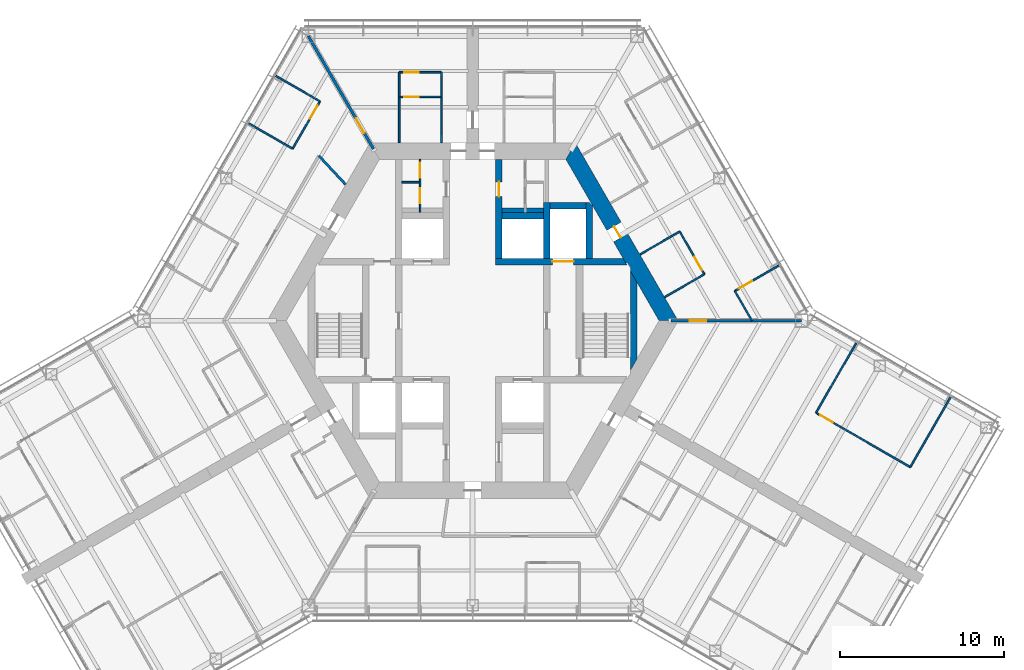
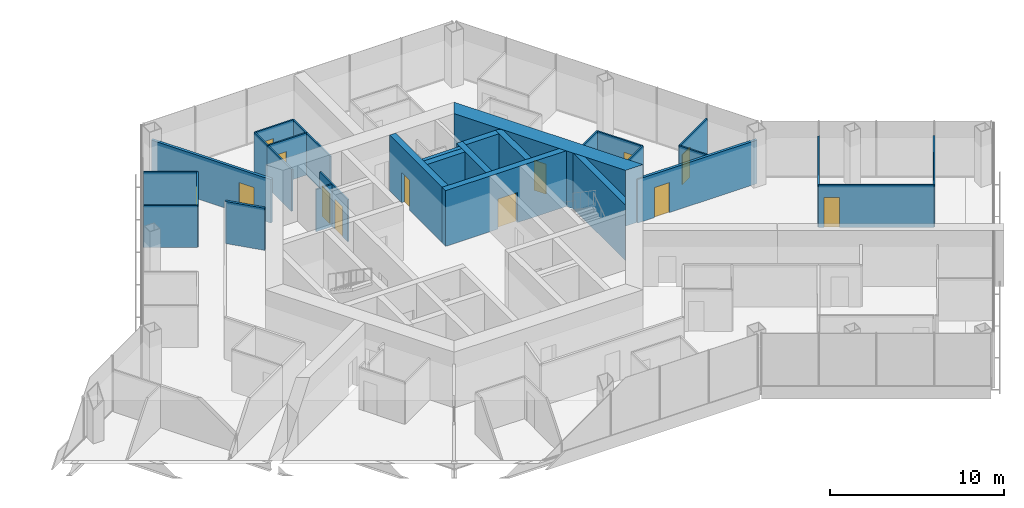
# One storey, part 15 of 19: 31 walls, 13 doors, 13 openings.
"""IFC4 building model written with IfcOpenShell, lengths in metres."""

from ifc_helpers import new_model, si_unit, direction, frame, frame_2d, origin, place, context, subcontext, project, spatial, polyline, rectangle, outline, extrude, material, layer, layer_set, type_object, element, fill, save


model = new_model("IFC4")

# Units and contexts
model_context = context("Model", 3, precision=1e-05, world=origin(), true_north=direction((0.0, 1.0)))
body_context = subcontext(model_context, "Body", "Model", "MODEL_VIEW")
ifc_project = project(units=[si_unit("LENGTHUNIT", "METRE"), si_unit("AREAUNIT", "SQUARE_METRE"), si_unit("VOLUMEUNIT", "CUBIC_METRE"), si_unit("PLANEANGLEUNIT", "RADIAN"), si_unit("MASSUNIT", "GRAM", prefix="KILO")], contexts=[model_context])

# Site, building, storey
site_placement = place(None, origin())
site = spatial("IfcSite", under=ifc_project, at=site_placement, CompositionType="ELEMENT")
building_placement = place(site_placement, origin())
building = spatial("IfcBuilding", under=site, at=building_placement, Name="Kasaneha Research Tower", CompositionType="ELEMENT")
storey_placement = place(building_placement, frame((0.0, 0.0, 164.300048828125)))
storey = spatial("IfcBuildingStorey", under=building, at=storey_placement, Name="L41", CompositionType="ELEMENT", Elevation=164.300048828125)

# Wall, opening, door
ifc_material_1 = material(Name="Concrete Fc70", Category="concrete")
ifc_layer_1 = layer(ifc_material_1, 0.39990234375)
ifc_layer_set_1 = layer_set([ifc_layer_1], Name="Core internal wall 400 Fc70")
wall_type_1 = type_object("IfcWallType", Name="Core internal wall 400 Fc70", PredefinedType="SHEAR", material=ifc_layer_set_1)
wall_1_placement = place(storey_placement, frame((1.39990234375, 3.60009765625, 0.0), z_axis=(0.0, 0.0, 1.0), x_axis=(1.0, 0.0, 0.0)))
wall_1 = element("IfcWall", 1, at=wall_1_placement, inside=storey, type_object=wall_type_1, Name="Core wall W1E L41", PredefinedType="SHEAR", context=body_context, shape_type="SweptSolid", body=[
    extrude(outline(polyline([(0.0, -0.199951171875), (3.449951171875, -0.199951171875), (4.75, -0.199951171875), (7.98193359375, -0.199951171875), (7.7509765625, 0.199951171875), (4.75, 0.199951171875), (3.449951171875, 0.199951171875), (0.0, 0.199951171875), (0.0, -0.199951171875)])), origin(), (0.0, 0.0, 1.0), 3.89990234375),
])
opening_1_placement = place(wall_1_placement, frame((3.449951171875, 0.0, 0.0)))
opening_1 = element("IfcOpeningElement", 2, at=opening_1_placement, cuts=wall_1, Name="Opening LD-FL1-L41", PredefinedType="OPENING", context=body_context, shape_type="SweptSolid", body=[
    extrude(rectangle(XDim=1.300048828125, YDim=2.10009765625, at=frame_2d((0.64990234375, 1.050048828125))), frame((0.0, 0.2099609375, 0.0), z_axis=(0.0, -1.0, 0.0), x_axis=(1.0, 0.0, 0.0)), (0.0, 0.0, 1.0), 0.419921875),
])
ifc_material_2 = material(Name="Steel", Category="steel")
door_type_1 = type_object("IfcDoorType", Name="Lift landing door 1300x2100", OperationType="DOUBLE_DOOR_SLIDING", PredefinedType="DOOR", material=ifc_material_2)
door_1_placement = place(opening_1_placement, origin())
door_1 = element("IfcDoor", 3, at=door_1_placement, inside=storey, type_object=door_type_1, Name="Landing door FL1 LD-FL1-L41", OperationType="DOUBLE_DOOR_SLIDING", OverallHeight=2.10009765625, OverallWidth=1.300048828125, PredefinedType="DOOR", context=body_context, shape_type="SweptSolid", body=[
    extrude(rectangle(XDim=1.300048828125, YDim=2.10009765625, at=frame_2d((0.64990234375, 1.050048828125))), frame((0.0, 0.02490234375, 0.0), z_axis=(0.0, -1.0, 0.0), x_axis=(1.0, 0.0, 0.0)), (0.0, 0.0, 1.0), 0.050048828125),
])
fill(opening_1, door_1)

wall_2_placement = place(storey_placement, frame((1.60009765625, 3.800048828125, 0.0), z_axis=(0.0, 0.0, 1.0), x_axis=(0.0, 1.0, 0.0)))
wall_2 = element("IfcWall", 4, at=wall_2_placement, inside=storey, type_object=wall_type_1, Name="Core wall CNE L41", PredefinedType="SHEAR", context=body_context, shape_type="SweptSolid", body=[
    extrude(rectangle(XDim=6.02490234375, YDim=0.39990234375, at=frame_2d((3.012451171875, 0.0))), origin(), (0.0, 0.0, 1.0), 3.89990234375),
])
opening_2_placement = place(wall_2_placement, frame((3.75, 0.0, 0.0)))
opening_2 = element("IfcOpeningElement", 5, at=opening_2_placement, cuts=wall_2, Name="Opening L41-D14", PredefinedType="OPENING", context=body_context, shape_type="SweptSolid", body=[
    extrude(rectangle(XDim=0.89990234375, YDim=2.10009765625, at=frame_2d((0.449951171875, 1.050048828125))), frame((0.0, 0.2099609375, 0.0), z_axis=(0.0, -1.0, 0.0), x_axis=(1.0, 0.0, 0.0)), (0.0, 0.0, 1.0), 0.419921875),
])
ifc_material_3 = material(Name="Steel", Category="steel")
door_type_2 = type_object("IfcDoorType", Name="Toilet door FD20 900x2100", OperationType="NOTDEFINED", PredefinedType="DOOR", material=ifc_material_3)
door_2_placement = place(opening_2_placement, origin())
door_2 = element("IfcDoor", 6, at=door_2_placement, inside=storey, type_object=door_type_2, Name="Women's WC door L41-D14", OperationType="SINGLE_SWING_LEFT", OverallHeight=2.10009765625, OverallWidth=0.89990234375, PredefinedType="DOOR", context=body_context, shape_type="SweptSolid", body=[
    extrude(rectangle(XDim=0.89990234375, YDim=2.10009765625, at=frame_2d((0.449951171875, 1.050048828125))), frame((0.0, 0.02490234375, 0.0), z_axis=(0.0, -1.0, 0.0), x_axis=(1.0, 0.0, 0.0)), (0.0, 0.0, 1.0), 0.050048828125),
])
fill(opening_2, door_2)

# Walls
wall_3_placement = place(storey_placement, frame((4.5, 3.800048828125, 0.0), z_axis=(0.0, 0.0, 1.0), x_axis=(0.0, 1.0, 0.0)))
element("IfcWall", 7, at=wall_3_placement, inside=storey, type_object=wall_type_1, Name="Core wall FNE L41", PredefinedType="SHEAR", context=body_context, shape_type="SweptSolid", body=[
    extrude(rectangle(XDim=3.39990234375, YDim=0.39990234375, at=frame_2d((1.699951171875, 0.0))), origin(), (0.0, 0.0, 1.0), 3.89990234375),
])
wall_4_placement = place(storey_placement, frame((1.800048828125, 6.39990234375, 0.0), z_axis=(0.0, 0.0, 1.0), x_axis=(1.0, 0.0, 0.0)))
element("IfcWall", 8, at=wall_4_placement, inside=storey, type_object=wall_type_1, Name="Core wall N3N L41", PredefinedType="SHEAR", context=body_context, shape_type="SweptSolid", body=[
    extrude(rectangle(XDim=2.5, YDim=0.39990234375, at=frame_2d((1.25, 0.0))), origin(), (0.0, 0.0, 1.0), 3.89990234375),
])
wall_5_placement = place(storey_placement, frame((4.699951171875, 7.0, 0.0), z_axis=(0.0, 0.0, 1.0), x_axis=(1.0, 0.0, 0.0)))
element("IfcWall", 9, at=wall_5_placement, inside=storey, type_object=wall_type_1, Name="Core wall F1N L41", PredefinedType="SHEAR", context=body_context, shape_type="SweptSolid", body=[
    extrude(rectangle(XDim=2.199951171875, YDim=0.39990234375, at=frame_2d((1.10009765625, 0.0))), origin(), (0.0, 0.0, 1.0), 3.89990234375),
])
wall_6_placement = place(storey_placement, frame((7.10009765625, 3.800048828125, 0.0), z_axis=(0.0, 0.0, 1.0), x_axis=(0.0, 1.0, 0.0)))
element("IfcWall", 10, at=wall_6_placement, inside=storey, type_object=wall_type_1, Name="Core wall F1E L41", PredefinedType="SHEAR", context=body_context, shape_type="SweptSolid", body=[
    extrude(outline(polyline([(0.0, -0.199951171875), (3.205810546875, -0.199951171875), (3.39990234375, 0.0), (3.39990234375, 0.199951171875), (0.0, 0.199951171875), (0.0, -0.199951171875)])), origin(), (0.0, 0.0, 1.0), 3.89990234375),
])
wall_7_placement = place(storey_placement, frame((9.807861328125, -2.662353515625, 0.0), z_axis=(0.0, 0.0, 1.0), x_axis=(0.0, 1.0, 0.0)))
element("IfcWall", 11, at=wall_7_placement, inside=storey, type_object=wall_type_1, Name="Core wall STE L41", PredefinedType="SHEAR", context=body_context, shape_type="SweptSolid", body=[
    extrude(outline(polyline([(0.346435546875, -0.199951171875), (4.978271484375, -0.199951171875), (5.671142578125, 0.199951171875), (-0.346435546875, 0.199951171875), (0.346435546875, -0.199951171875)])), origin(), (0.0, 0.0, 1.0), 3.89990234375),
])

# Wall, opening, door
ifc_material_4 = material(Name="Concrete Fc70", Category="concrete")
ifc_layer_2 = layer(ifc_material_4, 1.0)
ifc_layer_set_2 = layer_set([ifc_layer_2], Name="Core wall 1000 Fc70")
wall_type_2 = type_object("IfcWallType", Name="Core wall 1000 Fc70", PredefinedType="SHEAR", material=ifc_layer_set_2)
wall_8_placement = place(storey_placement, frame((11.92236328125, 0.0, 0.0), z_axis=(0.0, 0.0, 1.0), x_axis=(-0.500004296715, 0.866022923061, 0.0)))
wall_8 = element("IfcWall", 12, at=wall_8_placement, inside=storey, type_object=wall_type_2, Name="Core wall 030 L41", PredefinedType="SHEAR", context=body_context, shape_type="SweptSolid", body=[
    extrude(outline(polyline([(-0.28857421875, -0.5), (5.83544921875, -0.5), (6.635498046875, -0.5), (12.2109375, -0.5), (11.6337890625, 0.5), (6.635498046875, 0.5), (5.83544921875, 0.5), (0.28857421875, 0.5), (-0.28857421875, -0.5)])), origin(), (0.0, 0.0, 1.0), 3.89990234375),
])
opening_3_placement = place(wall_8_placement, frame((5.83544921875, 0.0, 0.0)))
opening_3 = element("IfcOpeningElement", 13, at=opening_3_placement, cuts=wall_8, Name="Opening L41-D04", PredefinedType="OPENING", context=body_context, shape_type="SweptSolid", body=[
    extrude(rectangle(XDim=0.800048828125, YDim=2.10009765625, at=frame_2d((0.39990234375, 1.050048828125))), frame((0.0, 0.510009765625, 0.0), z_axis=(0.0, -1.0, 0.0), x_axis=(1.0, 0.0, 0.0)), (0.0, 0.0, 1.0), 1.02001953125),
])
ifc_material_5 = material(Name="Steel", Category="steel")
door_type_3 = type_object("IfcDoorType", Name="Riser access door FD60 800x2100", OperationType="NOTDEFINED", PredefinedType="DOOR", material=ifc_material_5)
door_3_placement = place(opening_3_placement, origin())
door_3 = element("IfcDoor", 14, at=door_3_placement, inside=storey, type_object=door_type_3, Name="Pipe riser door L41-D04", OperationType="SINGLE_SWING_RIGHT", OverallHeight=2.10009765625, OverallWidth=0.800048828125, PredefinedType="DOOR", context=body_context, shape_type="SweptSolid", body=[
    extrude(rectangle(XDim=0.800048828125, YDim=2.10009765625, at=frame_2d((0.39990234375, 1.050048828125))), frame((0.0, 0.02490234375, 0.0), z_axis=(0.0, -1.0, 0.0), x_axis=(1.0, 0.0, 0.0)), (0.0, 0.0, 1.0), 0.050048828125),
])
fill(opening_3, door_3)

# Wall, openings, doors
ifc_material_6 = material(Name="Gypsum board on steel studs, one layer each side", Category="steel")
ifc_layer_3 = layer(ifc_material_6, 0.10009765625)
ifc_layer_set_3 = layer_set([ifc_layer_3], Name="Office partition 100")
wall_type_3 = type_object("IfcWallType", Name="Office partition 100", PredefinedType="PARTITIONING", material=ifc_layer_set_3)
wall_9_placement = place(storey_placement, frame((-3.199951171875, 6.60009765625, 0.0), z_axis=(0.0, 0.0, 1.0), x_axis=(0.0, 1.0, 0.0)))
wall_9 = element("IfcWall", 15, at=wall_9_placement, inside=storey, type_object=wall_type_3, Name="Office partition TBM1 L41", PredefinedType="PARTITIONING", context=body_context, shape_type="SweptSolid", body=[
    extrude(rectangle(XDim=3.224853515625, YDim=0.10009765625, at=frame_2d((1.6123046875, 0.0))), origin(), (0.0, 0.0, 1.0), 2.949951171875),
])
opening_4_placement = place(wall_9_placement, frame((0.5625, 0.0, 0.0)))
opening_4 = element("IfcOpeningElement", 16, at=opening_4_placement, cuts=wall_9, Name="Opening L41-D20", PredefinedType="OPENING", context=body_context, shape_type="SweptSolid", body=[
    extrude(rectangle(XDim=0.89990234375, YDim=2.10009765625, at=frame_2d((0.449951171875, 1.050048828125))), frame((0.0, 0.06005859375, 0.0), z_axis=(0.0, -1.0, 0.0), x_axis=(1.0, 0.0, 0.0)), (0.0, 0.0, 1.0), 0.1201171875),
])
opening_5_placement = place(wall_9_placement, frame((2.10009765625, 0.0, 0.0)))
opening_5 = element("IfcOpeningElement", 17, at=opening_5_placement, cuts=wall_9, Name="Opening L41-D21", PredefinedType="OPENING", context=body_context, shape_type="SweptSolid", body=[
    extrude(rectangle(XDim=0.89990234375, YDim=2.10009765625, at=frame_2d((0.449951171875, 1.050048828125))), frame((0.0, 0.06005859375, 0.0), z_axis=(0.0, -1.0, 0.0), x_axis=(1.0, 0.0, 0.0)), (0.0, 0.0, 1.0), 0.1201171875),
])
ifc_material_7 = material(Name="Steel", Category="steel")
door_type_4 = type_object("IfcDoorType", Name="Toilet lobby door FD30 900x2100", OperationType="NOTDEFINED", PredefinedType="DOOR", material=ifc_material_7)
door_4_placement = place(opening_4_placement, origin())
door_4 = element("IfcDoor", 18, at=door_4_placement, inside=storey, type_object=door_type_4, Name="Men's WC door L41-D20", OperationType="SINGLE_SWING_RIGHT", OverallHeight=2.10009765625, OverallWidth=0.89990234375, PredefinedType="DOOR", context=body_context, shape_type="SweptSolid", body=[
    extrude(rectangle(XDim=0.89990234375, YDim=2.10009765625, at=frame_2d((0.449951171875, 1.050048828125))), frame((0.0, 0.02490234375, 0.0), z_axis=(0.0, -1.0, 0.0), x_axis=(1.0, 0.0, 0.0)), (0.0, 0.0, 1.0), 0.050048828125),
])
fill(opening_4, door_4)
door_5_placement = place(opening_5_placement, origin())
door_5 = element("IfcDoor", 19, at=door_5_placement, inside=storey, type_object=door_type_4, Name="Cleaner's store door L41-D21", OperationType="SINGLE_SWING_RIGHT", OverallHeight=2.10009765625, OverallWidth=0.89990234375, PredefinedType="DOOR", context=body_context, shape_type="SweptSolid", body=[
    extrude(rectangle(XDim=0.89990234375, YDim=2.10009765625, at=frame_2d((0.449951171875, 1.050048828125))), frame((0.0, 0.02490234375, 0.0), z_axis=(0.0, -1.0, 0.0), x_axis=(1.0, 0.0, 0.0)), (0.0, 0.0, 1.0), 0.050048828125),
])
fill(opening_5, door_5)

# Walls
wall_10_placement = place(storey_placement, frame((-3.25, 8.425048828125, 0.0), z_axis=(0.0, 0.0, 1.0), x_axis=(-1.0, 0.0, 0.0)))
element("IfcWall", 20, at=wall_10_placement, inside=storey, type_object=wall_type_3, Name="Office partition TBM2 L41", PredefinedType="PARTITIONING", context=body_context, shape_type="SweptSolid", body=[
    extrude(rectangle(XDim=1.050048828125, YDim=0.10009765625, at=frame_2d((0.52490234375, 0.0))), origin(), (0.0, 0.0, 1.0), 2.949951171875),
])
wall_11_placement = place(storey_placement, frame((10.19189453125, 4.036865234375, 0.0), z_axis=(0.0, 0.0, 1.0), x_axis=(0.866018876994, 0.500011304563, 0.0)))
element("IfcWall", 21, at=wall_11_placement, inside=storey, type_object=wall_type_3, Name="Office partition FAE07 L41", PredefinedType="PARTITIONING", context=body_context, shape_type="SweptSolid", body=[
    extrude(rectangle(XDim=2.7802734375, YDim=0.10009765625, at=frame_2d((1.39013671875, 0.0))), origin(), (0.0, 0.0, 1.0), 2.949951171875),
])

# Wall, opening, door
wall_12_placement = place(storey_placement, frame((12.599609375, 5.427001953125, 0.0), z_axis=(0.0, 0.0, 1.0), x_axis=(0.499990139034, -0.866031096941, 0.0)))
wall_12 = element("IfcWall", 22, at=wall_12_placement, inside=storey, type_object=wall_type_3, Name="Office partition FAE08 L41", PredefinedType="PARTITIONING", context=body_context, shape_type="SweptSolid", body=[
    extrude(rectangle(XDim=3.0, YDim=0.10009765625, at=frame_2d((1.5, 0.0))), origin(), (0.0, 0.0, 1.0), 2.949951171875),
])
opening_6_placement = place(wall_12_placement, frame((1.800048828125, 0.0, 0.0)))
opening_6 = element("IfcOpeningElement", 23, at=opening_6_placement, cuts=wall_12, Name="Opening L41-D29", PredefinedType="OPENING", context=body_context, shape_type="SweptSolid", body=[
    extrude(rectangle(XDim=0.89990234375, YDim=2.10009765625, at=frame_2d((0.449951171875, 1.050048828125))), frame((0.0, 0.06005859375, 0.0), z_axis=(0.0, -1.0, 0.0), x_axis=(1.0, 0.0, 0.0)), (0.0, 0.0, 1.0), 0.1201171875),
])
ifc_material_8 = material(Name="Timber veneer", Category="wood")
door_type_5 = type_object("IfcDoorType", Name="Office door 900x2100", OperationType="SINGLE_SWING_LEFT", PredefinedType="DOOR", material=ifc_material_8)
door_6_placement = place(opening_6_placement, origin())
door_6 = element("IfcDoor", 24, at=door_6_placement, inside=storey, type_object=door_type_5, Name="Pantry door L41-D29", OperationType="SINGLE_SWING_RIGHT", OverallHeight=2.10009765625, OverallWidth=0.89990234375, PredefinedType="DOOR", context=body_context, shape_type="SweptSolid", body=[
    extrude(rectangle(XDim=0.89990234375, YDim=2.10009765625, at=frame_2d((0.449951171875, 1.050048828125))), frame((0.0, 0.02490234375, 0.0), z_axis=(0.0, -1.0, 0.0), x_axis=(1.0, 0.0, 0.0)), (0.0, 0.0, 1.0), 0.050048828125),
])
fill(opening_6, door_6)

# Wall
wall_13_placement = place(storey_placement, frame((14.099609375, 2.828857421875, 0.0), z_axis=(0.0, 0.0, 1.0), x_axis=(-0.866018876994, -0.500011304563, 0.0)))
element("IfcWall", 25, at=wall_13_placement, inside=storey, type_object=wall_type_3, Name="Office partition FAE09 L41", PredefinedType="PARTITIONING", context=body_context, shape_type="SweptSolid", body=[
    extrude(rectangle(XDim=2.7802734375, YDim=0.10009765625, at=frame_2d((1.39013671875, 0.0))), origin(), (0.0, 0.0, 1.0), 2.949951171875),
])

# Wall, opening, door
wall_14_placement = place(storey_placement, frame((15.952392578125, 1.810546875, 0.0), z_axis=(0.0, 0.0, 1.0), x_axis=(0.866036212918, 0.499981277565, 0.0)))
wall_14 = element("IfcWall", 26, at=wall_14_placement, inside=storey, type_object=wall_type_3, Name="Office partition FAE16 L41", PredefinedType="PARTITIONING", context=body_context, shape_type="SweptSolid", body=[
    extrude(rectangle(XDim=3.1298828125, YDim=0.10009765625, at=frame_2d((1.56494140625, 0.0))), origin(), (0.0, 0.0, 1.0), 2.949951171875),
])
opening_7_placement = place(wall_14_placement, frame((0.300048828125, 0.0, 0.0)))
opening_7 = element("IfcOpeningElement", 27, at=opening_7_placement, cuts=wall_14, Name="Opening L41-D32", PredefinedType="OPENING", context=body_context, shape_type="SweptSolid", body=[
    extrude(rectangle(XDim=0.89990234375, YDim=2.10009765625, at=frame_2d((0.449951171875, 1.050048828125))), frame((0.0, 0.06005859375, 0.0), z_axis=(0.0, -1.0, 0.0), x_axis=(1.0, 0.0, 0.0)), (0.0, 0.0, 1.0), 0.1201171875),
])
door_7_placement = place(opening_7_placement, origin())
door_7 = element("IfcDoor", 28, at=door_7_placement, inside=storey, type_object=door_type_5, Name="Workroom door L41-D32", OperationType="SINGLE_SWING_LEFT", OverallHeight=2.10009765625, OverallWidth=0.89990234375, PredefinedType="DOOR", context=body_context, shape_type="SweptSolid", body=[
    extrude(rectangle(XDim=0.89990234375, YDim=2.10009765625, at=frame_2d((0.449951171875, 1.050048828125))), frame((0.0, 0.02490234375, 0.0), z_axis=(0.0, -1.0, 0.0), x_axis=(1.0, 0.0, 0.0)), (0.0, 0.0, 1.0), 0.050048828125),
])
fill(opening_7, door_7)

# Wall
wall_15_placement = place(storey_placement, frame((16.986083984375, 0.02001953125, 0.0), z_axis=(0.0, 0.0, 1.0), x_axis=(-0.499974592989, 0.866040072032, 0.0)))
element("IfcWall", 29, at=wall_15_placement, inside=storey, type_object=wall_type_3, Name="Office partition FAE17 L41", PredefinedType="PARTITIONING", context=body_context, shape_type="SweptSolid", body=[
    extrude(rectangle(XDim=2.0673828125, YDim=0.10009765625, at=frame_2d((1.03369140625, 0.0))), origin(), (0.0, 0.0, 1.0), 2.949951171875),
])

# Wall, opening, door
wall_16_placement = place(storey_placement, frame((-4.470947265625, 13.6201171875, 0.0), z_axis=(0.0, 0.0, 1.0), x_axis=(1.0, 0.0, 0.0)))
wall_16 = element("IfcWall", 30, at=wall_16_placement, inside=storey, type_object=wall_type_3, Name="Office partition FAW01 L41", PredefinedType="PARTITIONING", context=body_context, shape_type="SweptSolid", body=[
    extrude(rectangle(XDim=2.571044921875, YDim=0.10009765625, at=frame_2d((1.28564453125, 0.0))), origin(), (0.0, 0.0, 1.0), 2.949951171875),
])
opening_8_placement = place(wall_16_placement, frame((0.300048828125, 0.0, 0.0)))
opening_8 = element("IfcOpeningElement", 31, at=opening_8_placement, cuts=wall_16, Name="Opening L41-D33", PredefinedType="OPENING", context=body_context, shape_type="SweptSolid", body=[
    extrude(rectangle(XDim=0.89990234375, YDim=2.10009765625, at=frame_2d((0.449951171875, 1.050048828125))), frame((0.0, 0.06005859375, 0.0), z_axis=(0.0, -1.0, 0.0), x_axis=(1.0, 0.0, 0.0)), (0.0, 0.0, 1.0), 0.1201171875),
])
door_8_placement = place(opening_8_placement, origin())
door_8 = element("IfcDoor", 32, at=door_8_placement, inside=storey, type_object=door_type_4, Name="Men's WC door L41-D33", OperationType="SINGLE_SWING_LEFT", OverallHeight=2.10009765625, OverallWidth=0.89990234375, PredefinedType="DOOR", context=body_context, shape_type="SweptSolid", body=[
    extrude(rectangle(XDim=0.89990234375, YDim=2.10009765625, at=frame_2d((0.449951171875, 1.050048828125))), frame((0.0, 0.02490234375, 0.0), z_axis=(0.0, -1.0, 0.0), x_axis=(1.0, 0.0, 0.0)), (0.0, 0.0, 1.0), 0.050048828125),
])
fill(opening_8, door_8)

# Walls
for number, where, z_axis, x_axis, name in (
    (33, (-4.470947265625, 10.844970703125, 0.0), (0.0, 0.0, 1.0), (0.001668567099, 0.999998607941, 0.0), "Office partition FAW02 L41"),
    (34, (-1.90478515625, 13.625, 0.0), (0.0, 0.0, 1.0), (0.001756386155, -0.999998457553, 0.0), "Office partition FAW03 L41"),
):
    element("IfcWall", number, at=place(storey_placement, frame(where, z_axis=z_axis, x_axis=x_axis)), inside=storey, type_object=wall_type_3, Name=name, PredefinedType="PARTITIONING", context=body_context, shape_type="SweptSolid", body=[
        extrude(rectangle(XDim=2.780029296875, YDim=0.10009765625, at=frame_2d((1.39013671875, 0.0))), origin(), (0.0, 0.0, 1.0), 2.949951171875),
    ])

# Wall, opening, door
wall_17_placement = place(storey_placement, frame((-4.470947265625, 15.125, 0.0), z_axis=(0.0, 0.0, 1.0), x_axis=(1.0, 0.0, 0.0)))
wall_17 = element("IfcWall", 35, at=wall_17_placement, inside=storey, type_object=wall_type_3, Name="Office partition FAW04 L41", PredefinedType="PARTITIONING", context=body_context, shape_type="SweptSolid", body=[
    extrude(rectangle(XDim=2.571044921875, YDim=0.10009765625, at=frame_2d((1.28564453125, 0.0))), origin(), (0.0, 0.0, 1.0), 2.949951171875),
])
opening_9_placement = place(wall_17_placement, frame((0.300048828125, 0.0, 0.0)))
opening_9 = element("IfcOpeningElement", 36, at=opening_9_placement, cuts=wall_17, Name="Opening L41-D34", PredefinedType="OPENING", context=body_context, shape_type="SweptSolid", body=[
    extrude(rectangle(XDim=0.89990234375, YDim=2.10009765625, at=frame_2d((0.449951171875, 1.050048828125))), frame((0.0, 0.06005859375, 0.0), z_axis=(0.0, -1.0, 0.0), x_axis=(1.0, 0.0, 0.0)), (0.0, 0.0, 1.0), 0.1201171875),
])
door_9_placement = place(opening_9_placement, origin())
door_9 = element("IfcDoor", 37, at=door_9_placement, inside=storey, type_object=door_type_4, Name="Toilet lobby door L41-D34", OperationType="SINGLE_SWING_LEFT", OverallHeight=2.10009765625, OverallWidth=0.89990234375, PredefinedType="DOOR", context=body_context, shape_type="SweptSolid", body=[
    extrude(rectangle(XDim=0.89990234375, YDim=2.10009765625, at=frame_2d((0.449951171875, 1.050048828125))), frame((0.0, 0.02490234375, 0.0), z_axis=(0.0, -1.0, 0.0), x_axis=(1.0, 0.0, 0.0)), (0.0, 0.0, 1.0), 0.050048828125),
])
fill(opening_9, door_9)

# Walls
for number, where, z_axis, x_axis, name in (
    (38, (-4.46630859375, 13.625, 0.0), (0.0, 0.0, 1.0), (-0.00309243313, 0.999995218417, 0.0), "Office partition FAW05 L41"),
    (39, (-1.89990234375, 15.125, 0.0), (0.0, 0.0, 1.0), (-0.003255191087, -0.999994701851, 0.0), "Office partition FAW06 L41"),
):
    element("IfcWall", number, at=place(storey_placement, frame(where, z_axis=z_axis, x_axis=x_axis)), inside=storey, type_object=wall_type_3, Name=name, PredefinedType="PARTITIONING", context=body_context, shape_type="SweptSolid", body=[
        extrude(rectangle(XDim=1.5, YDim=0.10009765625, at=frame_2d((0.75, 0.0))), origin(), (0.0, 0.0, 1.0), 2.949951171875),
    ])
wall_18_placement = place(storey_placement, frame((-11.979736328125, 14.901611328125, 0.0), z_axis=(0.0, 0.0, 1.0), x_axis=(0.866042875753, -0.499969736442, 0.0)))
element("IfcWall", 40, at=wall_18_placement, inside=storey, type_object=wall_type_3, Name="Office partition FBN18 L41", PredefinedType="PARTITIONING", context=body_context, shape_type="SweptSolid", body=[
    extrude(rectangle(XDim=3.105224609375, YDim=0.10009765625, at=frame_2d((1.552734375, 0.0))), origin(), (0.0, 0.0, 1.0), 2.949951171875),
])
wall_19_placement = place(storey_placement, frame((-10.9560546875, 10.464599609375, 0.0), z_axis=(0.0, 0.0, 1.0), x_axis=(-0.866044340336, 0.499967199496, 0.0)))
element("IfcWall", 41, at=wall_19_placement, inside=storey, type_object=wall_type_3, Name="Office partition FBN19 L41", PredefinedType="PARTITIONING", context=body_context, shape_type="SweptSolid", body=[
    extrude(rectangle(XDim=3.079833984375, YDim=0.10009765625, at=frame_2d((1.5400390625, 0.0))), origin(), (0.0, 0.0, 1.0), 2.949951171875),
])

# Wall, opening, door
wall_20_placement = place(storey_placement, frame((-9.29052734375, 13.34912109375, 0.0), z_axis=(0.0, 0.0, 1.0), x_axis=(-0.500033344505, -0.86600615147, 0.0)))
wall_20 = element("IfcWall", 42, at=wall_20_placement, inside=storey, type_object=wall_type_3, Name="Office partition FBN20 L41", PredefinedType="PARTITIONING", context=body_context, shape_type="SweptSolid", body=[
    extrude(rectangle(XDim=3.330810546875, YDim=0.10009765625, at=frame_2d((1.66552734375, 0.0))), origin(), (0.0, 0.0, 1.0), 2.949951171875),
])
opening_10_placement = place(wall_20_placement, frame((0.300048828125, 0.0, 0.0)))
opening_10 = element("IfcOpeningElement", 43, at=opening_10_placement, cuts=wall_20, Name="Opening L41-D41", PredefinedType="OPENING", context=body_context, shape_type="SweptSolid", body=[
    extrude(rectangle(XDim=0.89990234375, YDim=2.10009765625, at=frame_2d((0.449951171875, 1.050048828125))), frame((0.0, 0.06005859375, 0.0), z_axis=(0.0, -1.0, 0.0), x_axis=(1.0, 0.0, 0.0)), (0.0, 0.0, 1.0), 0.1201171875),
])
door_10_placement = place(opening_10_placement, origin())
door_10 = element("IfcDoor", 44, at=door_10_placement, inside=storey, type_object=door_type_5, Name="Manager's office door L41-D41", OperationType="SINGLE_SWING_LEFT", OverallHeight=2.10009765625, OverallWidth=0.89990234375, PredefinedType="DOOR", context=body_context, shape_type="SweptSolid", body=[
    extrude(rectangle(XDim=0.89990234375, YDim=2.10009765625, at=frame_2d((0.449951171875, 1.050048828125))), frame((0.0, 0.02490234375, 0.0), z_axis=(0.0, -1.0, 0.0), x_axis=(1.0, 0.0, 0.0)), (0.0, 0.0, 1.0), 0.050048828125),
])
fill(opening_10, door_10)

# Wall
wall_21_placement = place(storey_placement, frame((20.89208984375, -5.595703125, 0.0), z_axis=(0.0, 0.0, 1.0), x_axis=(0.500040029196, 0.866002291684, 0.0)))
element("IfcWall", 45, at=wall_21_placement, inside=storey, type_object=wall_type_3, Name="Office partition FCE01 L41", PredefinedType="PARTITIONING", context=body_context, shape_type="SweptSolid", body=[
    extrude(rectangle(XDim=4.8798828125, YDim=0.10009765625, at=frame_2d((2.43994140625, 0.0))), origin(), (0.0, 0.0, 1.0), 2.949951171875),
])

# Wall, opening, door
wall_22_placement = place(storey_placement, frame((26.625, -8.905517578125, 0.0), z_axis=(0.0, 0.0, 1.0), x_axis=(-0.866030817826, 0.499990622488, 0.0)))
wall_22 = element("IfcWall", 46, at=wall_22_placement, inside=storey, type_object=wall_type_3, Name="Office partition FCE02 L41", PredefinedType="PARTITIONING", context=body_context, shape_type="SweptSolid", body=[
    extrude(rectangle(XDim=6.619873046875, YDim=0.10009765625, at=frame_2d((3.31005859375, 0.0))), origin(), (0.0, 0.0, 1.0), 2.949951171875),
])
opening_11_placement = place(wall_22_placement, frame((5.419677734375, 0.0, 0.0)))
opening_11 = element("IfcOpeningElement", 47, at=opening_11_placement, cuts=wall_22, Name="Opening L41-D46", PredefinedType="OPENING", context=body_context, shape_type="SweptSolid", body=[
    extrude(rectangle(XDim=0.89990234375, YDim=2.10009765625, at=frame_2d((0.449951171875, 1.050048828125))), frame((0.0, 0.06005859375, 0.0), z_axis=(0.0, -1.0, 0.0), x_axis=(1.0, 0.0, 0.0)), (0.0, 0.0, 1.0), 0.1201171875),
])
door_11_placement = place(opening_11_placement, origin())
door_11 = element("IfcDoor", 48, at=door_11_placement, inside=storey, type_object=door_type_5, Name="Meeting room door L41-D46", OperationType="SINGLE_SWING_RIGHT", OverallHeight=2.10009765625, OverallWidth=0.89990234375, PredefinedType="DOOR", context=body_context, shape_type="SweptSolid", body=[
    extrude(rectangle(XDim=0.89990234375, YDim=2.10009765625, at=frame_2d((0.449951171875, 1.050048828125))), frame((0.0, 0.02490234375, 0.0), z_axis=(0.0, -1.0, 0.0), x_axis=(1.0, 0.0, 0.0)), (0.0, 0.0, 1.0), 0.050048828125),
])
fill(opening_11, door_11)

# Walls
wall_23_placement = place(storey_placement, frame((29.077392578125, -4.65771484375, 0.0), z_axis=(0.0, 0.0, 1.0), x_axis=(-0.499988153533, -0.866032243237, 0.0)))
element("IfcWall", 49, at=wall_23_placement, inside=storey, type_object=wall_type_3, Name="Office partition FCE03 L41", PredefinedType="PARTITIONING", context=body_context, shape_type="SweptSolid", body=[
    extrude(rectangle(XDim=4.90478515625, YDim=0.10009765625, at=frame_2d((2.452392578125, 0.0))), origin(), (0.0, 0.0, 1.0), 2.949951171875),
])
ifc_material_9 = material(Name="Gypsum board on steel studs, two layers each side", Category="steel")
ifc_layer_4 = layer(ifc_material_9, 0.14990234375)
ifc_layer_set_4 = layer_set([ifc_layer_4], Name="Suite partition 150")
wall_type_4 = type_object("IfcWallType", Name="Suite partition 150", PredefinedType="PARTITIONING", material=ifc_layer_set_4)
wall_24_placement = place(storey_placement, frame((-9.360107421875, 10.03759765625, 0.0), z_axis=(0.0, 0.0, 1.0), x_axis=(0.681997114248, -0.731354863358, 0.0)))
element("IfcWall", 50, at=wall_24_placement, inside=storey, type_object=wall_type_4, Name="Suite partition FBN06 L41", PredefinedType="PARTITIONING", context=body_context, shape_type="SweptSolid", body=[
    extrude(outline(polyline([(0.0, -0.074951171875), (2.384033203125, -0.074951171875), (2.384033203125, 0.0), (2.382080078125, 0.074951171875), (0.0, 0.074951171875), (0.0, -0.074951171875)])), origin(), (0.0, 0.0, 1.0), 2.949951171875),
])

# Wall, opening, door
ifc_material_10 = material(Name="Gypsum board on steel studs, two layers each side", Category="steel")
ifc_layer_5 = layer(ifc_material_10, 0.175048828125)
ifc_layer_set_5 = layer_set([ifc_layer_5], Name="Tenancy fire partition 175")
wall_type_5 = type_object("IfcWallType", Name="Tenancy fire partition 175", PredefinedType="PARTITIONING", material=ifc_layer_set_5)
wall_25_placement = place(storey_placement, frame((12.069580078125, 0.0, 0.0), z_axis=(0.0, 0.0, 1.0), x_axis=(1.0, 0.0, 0.0)))
wall_25 = element("IfcWall", 51, at=wall_25_placement, inside=storey, type_object=wall_type_5, Name="Tenancy fire partition T000 L41", PredefinedType="PARTITIONING", context=body_context, shape_type="SweptSolid", body=[
    extrude(rectangle(XDim=7.930419921875, YDim=0.175048828125, at=frame_2d((3.96533203125, 0.0))), origin(), (0.0, 0.0, 1.0), 3.050048828125),
])
opening_12_placement = place(wall_25_placement, frame((1.1298828125, 0.0, 0.0)))
opening_12 = element("IfcOpeningElement", 52, at=opening_12_placement, cuts=wall_25, Name="Opening L41-D24", PredefinedType="OPENING", context=body_context, shape_type="SweptSolid", body=[
    extrude(rectangle(XDim=1.0, YDim=2.10009765625, at=frame_2d((0.5, 1.050048828125))), frame((0.0, 0.09765625, 0.0), z_axis=(0.0, -1.0, 0.0), x_axis=(1.0, 0.0, 0.0)), (0.0, 0.0, 1.0), 0.195068359375),
])
ifc_material_11 = material(Name="Steel", Category="steel")
door_type_6 = type_object("IfcDoorType", Name="Suite entrance door FD60 1000x2100", OperationType="NOTDEFINED", PredefinedType="DOOR", material=ifc_material_11)
door_12_placement = place(opening_12_placement, origin())
door_12 = element("IfcDoor", 53, at=door_12_placement, inside=storey, type_object=door_type_6, Name="Connecting door L41-D24", OperationType="SINGLE_SWING_LEFT", OverallHeight=2.10009765625, OverallWidth=1.0, PredefinedType="DOOR", context=body_context, shape_type="SweptSolid", body=[
    extrude(rectangle(XDim=1.0, YDim=2.10009765625, at=frame_2d((0.5, 1.050048828125))), frame((0.0, 0.02490234375, 0.0), z_axis=(0.0, -1.0, 0.0), x_axis=(1.0, 0.0, 0.0)), (0.0, 0.0, 1.0), 0.050048828125),
])
fill(opening_12, door_12)

wall_26_placement = place(storey_placement, frame((-6.034912109375, 10.45263671875, 0.0), z_axis=(0.0, 0.0, 1.0), x_axis=(-0.499989830942, 0.866031274813, 0.0)))
wall_26 = element("IfcWall", 54, at=wall_26_placement, inside=storey, type_object=wall_type_5, Name="Tenancy fire partition T120 L41", PredefinedType="PARTITIONING", context=body_context, shape_type="SweptSolid", body=[
    extrude(rectangle(XDim=7.930419921875, YDim=0.175048828125, at=frame_2d((3.96533203125, 0.0))), origin(), (0.0, 0.0, 1.0), 3.050048828125),
])
opening_13_placement = place(wall_26_placement, frame((1.1298828125, 0.0, 0.0)))
opening_13 = element("IfcOpeningElement", 55, at=opening_13_placement, cuts=wall_26, Name="Opening L41-D25", PredefinedType="OPENING", context=body_context, shape_type="SweptSolid", body=[
    extrude(rectangle(XDim=1.0, YDim=2.10009765625, at=frame_2d((0.5, 1.050048828125))), frame((0.0, 0.09765625, 0.0), z_axis=(0.0, -1.0, 0.0), x_axis=(1.0, 0.0, 0.0)), (0.0, 0.0, 1.0), 0.195068359375),
])
door_13_placement = place(opening_13_placement, origin())
door_13 = element("IfcDoor", 56, at=door_13_placement, inside=storey, type_object=door_type_6, Name="Connecting door L41-D25", OperationType="SINGLE_SWING_LEFT", OverallHeight=2.10009765625, OverallWidth=1.0, PredefinedType="DOOR", context=body_context, shape_type="SweptSolid", body=[
    extrude(rectangle(XDim=1.0, YDim=2.10009765625, at=frame_2d((0.5, 1.050048828125))), frame((0.0, 0.02490234375, 0.0), z_axis=(0.0, -1.0, 0.0), x_axis=(1.0, 0.0, 0.0)), (0.0, 0.0, 1.0), 0.050048828125),
])
fill(opening_13, door_13)

# Wall
ifc_material_12 = material(Name="Concrete block lining", Category="concrete")
ifc_layer_6 = layer(ifc_material_12, 0.25)
ifc_layer_set_6 = layer_set([ifc_layer_6], Name="WC plumbing wall 250")
wall_type_6 = type_object("IfcWallType", Name="WC plumbing wall 250", PredefinedType="PLUMBINGWALL", material=ifc_layer_set_6)
wall_27_placement = place(storey_placement, frame((1.800048828125, 6.72509765625, 0.0), z_axis=(0.0, 0.0, 1.0), x_axis=(1.0, 0.0, 0.0)))
element("IfcWall", 57, at=wall_27_placement, inside=storey, type_object=wall_type_6, Name="WC plumbing wall F L41", PredefinedType="PLUMBINGWALL", context=body_context, shape_type="SweptSolid", body=[
    extrude(rectangle(XDim=2.5, YDim=0.25, at=frame_2d((1.25, 0.0))), origin(), (0.0, 0.0, 1.0), 3.89990234375),
])

save(model, "model.ifc")
